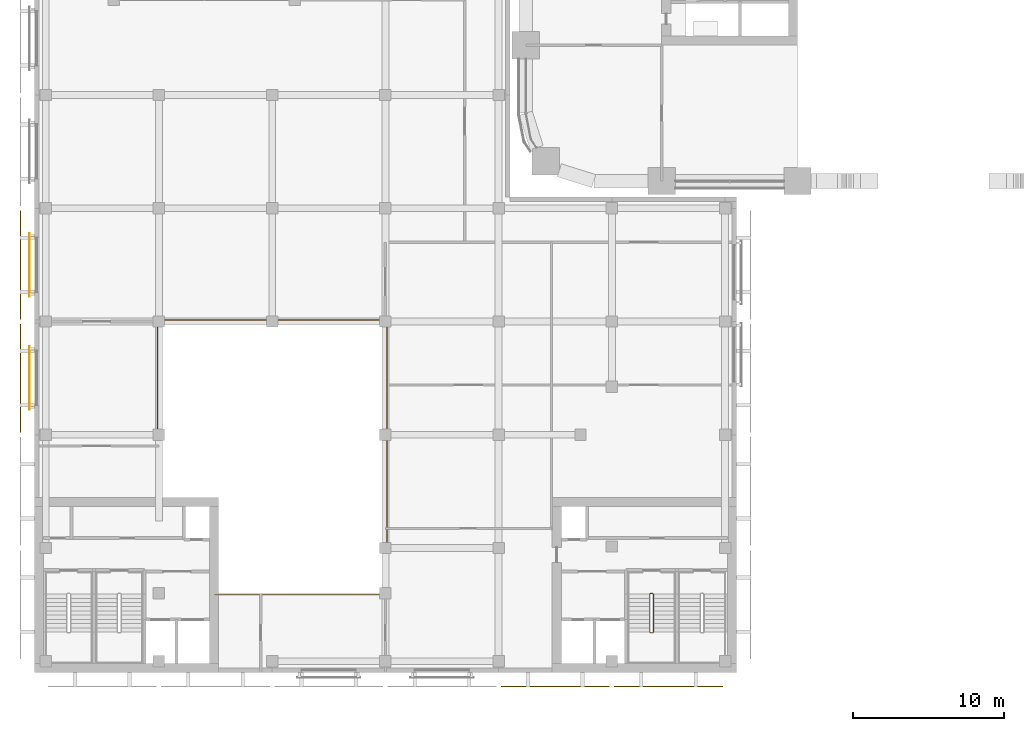
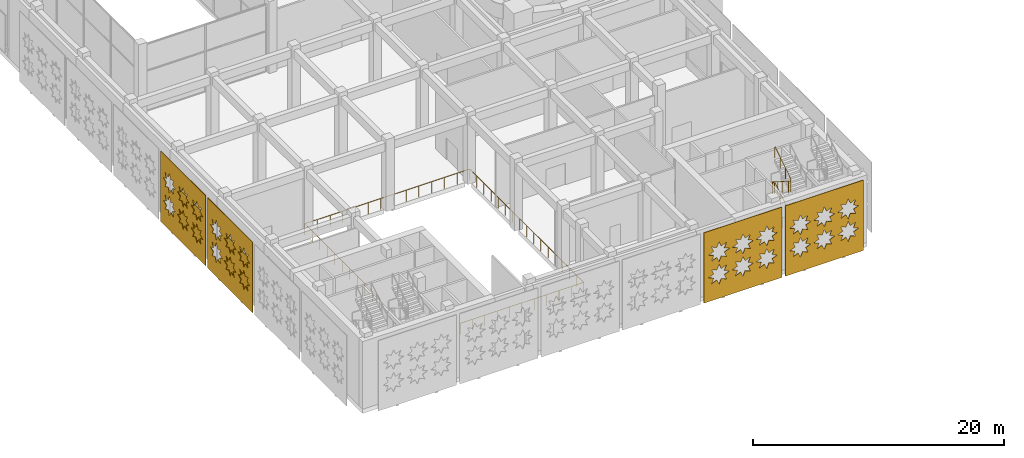
# One storey, part 31 of 42: 6 coverings, 2 railings.
"""IFC4 building model written with IfcOpenShell, lengths in metres."""

import ifcopenshell
import ifcopenshell.guid

model = None  # the IFC model being written
_history = None  # IfcOwnerHistory: only IFC2X3 demands one
_inside = {}  # id of a spatial element -> (the spatial element, [elements in it])
_under = {}  # id of a project, library or spatial element -> (it, [spatial elements below it])
_declared = {}  # id of a project -> (the project, [libraries it declares])
_typed = {}  # id of a type object -> (the type object, [elements of that type])
_made_of = {}  # id of a material, layer set ... -> (it, [elements and type objects made of it])


def new_model(schema):
    """Start an empty IFC model of exactly this schema.

    Asked for "IFC4X3", IfcOpenShell would pick the latest addendum, in which some entities
    have other attributes; the version numbers below select the first issue.
    IFC2X3 requires an IfcOwnerHistory on every rooted entity: one is made here for all.
    """
    global model, _history
    if schema == "IFC4X3":
        model = ifcopenshell.file(schema_version=(4, 3, 0, 0))
    else:
        model = ifcopenshell.file(schema=schema)
    _inside.clear()
    _under.clear()
    _declared.clear()
    _typed.clear()
    _made_of.clear()
    _history = None
    if model.schema == "IFC2X3":
        org = make("IfcOrganization", Name="unknown")
        user = make(
            "IfcPersonAndOrganization",
            ThePerson=make("IfcPerson", FamilyName="unknown"),
            TheOrganization=org,
        )
        app = make(
            "IfcApplication",
            ApplicationDeveloper=org,
            Version="unknown",
            ApplicationFullName="unknown",
            ApplicationIdentifier="unknown",
        )
        _history = make(
            "IfcOwnerHistory",
            OwningUser=user,
            OwningApplication=app,
            ChangeAction="ADDED",
            CreationDate=0,
        )
    return model


def make(cls, **values):
    """One entity of the class cls with the attributes given. An attribute that is None is left unset."""
    return model.create_entity(
        cls, **{name: value for name, value in values.items() if value is not None}
    )


def rooted(cls, **values):
    """An entity with a GlobalId (a new one), such as an element, a storey or a relation."""
    return make(cls, GlobalId=ifcopenshell.guid.new(), OwnerHistory=_history, **values)


def si_unit(unit_type, name, prefix=None):
    """IfcSIUnit, for example si_unit("LENGTHUNIT", "METRE", prefix="MILLI")."""
    return make("IfcSIUnit", UnitType=unit_type, Prefix=prefix, Name=name)


def assignment(units):
    """IfcUnitAssignment: the units of a project."""
    return None if units is None else make("IfcUnitAssignment", Units=units)


def point(xyz):
    """IfcCartesianPoint."""
    return None if xyz is None else make("IfcCartesianPoint", Coordinates=xyz)


def direction(xyz):
    """IfcDirection."""
    return None if xyz is None else make("IfcDirection", DirectionRatios=xyz)


def frame(location, z_axis=None, x_axis=None):
    """IfcAxis2Placement3D, a coordinate frame: its origin and axes. An axis left out is left unset."""
    return make(
        "IfcAxis2Placement3D",
        Location=point(location),
        Axis=direction(z_axis),
        RefDirection=direction(x_axis),
    )


def frame_2d(location, x_axis=None):
    """IfcAxis2Placement2D, a coordinate frame in the plane: its origin and x axis."""
    return make(
        "IfcAxis2Placement2D", Location=point(location), RefDirection=direction(x_axis)
    )


def origin():
    """The frame at (0, 0, 0) with its axes left unset."""
    return frame((0.0, 0.0, 0.0))


def origin_2d():
    """The frame at (0, 0) in the plane with its x axis left unset."""
    return frame_2d((0.0, 0.0))


def place(relative_to, where):
    """IfcLocalPlacement: puts the frame where relative to a parent placement (None: the world)."""
    return make(
        "IfcLocalPlacement", PlacementRelTo=relative_to, RelativePlacement=where
    )


def context(
    kind, dimensions, precision=None, world=None, true_north=None, identifier=None
):
    """IfcGeometricRepresentationContext, for example the 3D "Model" context."""
    return make(
        "IfcGeometricRepresentationContext",
        ContextIdentifier=identifier,
        ContextType=kind,
        CoordinateSpaceDimension=dimensions,
        Precision=precision,
        WorldCoordinateSystem=world,
        TrueNorth=true_north,
    )


def subcontext(parent, identifier, kind, view, scale=None):
    """IfcGeometricRepresentationSubContext, for example "Body" below "Model"."""
    return make(
        "IfcGeometricRepresentationSubContext",
        ContextIdentifier=identifier,
        ContextType=kind,
        ParentContext=parent,
        TargetScale=scale,
        TargetView=view,
    )


def project(units=None, contexts=None):
    """IfcProject with its units and contexts."""
    return rooted(
        "IfcProject",
        Name="project",
        RepresentationContexts=contexts,
        UnitsInContext=assignment(units),
    )


def spatial(cls, under=None, at=None, **own):
    """A site, building, storey or space (cls), placed at a placement, below another one or the project."""
    s = rooted(cls, ObjectPlacement=at, **own)
    if under is not None:
        _under.setdefault(under.id(), (under, []))[1].append(s)
    return s


def polyline(points):
    """IfcPolyline through the points."""
    return make("IfcPolyline", Points=[point(p) for p in points])


def profile(cls, at=None, kind="AREA", **sizes):
    """A parametric profile (cls). Its sizes go by their IFC names, for example OverallWidth=200.0."""
    return make(cls, ProfileType=kind, Position=at, **sizes)


def rectangle(**sizes):
    """IfcRectangleProfileDef."""
    return profile("IfcRectangleProfileDef", **sizes)


def circle(**sizes):
    """IfcCircleProfileDef."""
    return profile("IfcCircleProfileDef", **sizes)


def outline(outer, holes=None, kind="AREA"):
    """IfcArbitraryClosedProfileDef: a profile drawn as a closed curve; with holes, ...WithVoids."""
    if holes is None:
        return make("IfcArbitraryClosedProfileDef", ProfileType=kind, OuterCurve=outer)
    return make(
        "IfcArbitraryProfileDefWithVoids",
        ProfileType=kind,
        OuterCurve=outer,
        InnerCurves=holes,
    )


def extrude(swept, where, along, depth):
    """IfcExtrudedAreaSolid: the profile swept, set in the frame where, extruded along a direction by depth."""
    return make(
        "IfcExtrudedAreaSolid",
        SweptArea=swept,
        Position=where,
        ExtrudedDirection=direction(along),
        Depth=depth,
    )


def shape(context_of_items, identifier, shape_type, items):
    """IfcShapeRepresentation: the items that make up one representation, for example the "Body"."""
    return make(
        "IfcShapeRepresentation",
        ContextOfItems=context_of_items,
        RepresentationIdentifier=identifier,
        RepresentationType=shape_type,
        Items=items,
    )


def material(Name=None, Category=None):
    """IfcMaterial."""
    return make("IfcMaterial", Name=Name, Category=Category)


def layer(
    of_material, thickness, ventilated=None, Name=None, Category=None, Priority=None
):
    """IfcMaterialLayer: one layer of a wall or slab, of a material (None: an air gap)."""
    return make(
        "IfcMaterialLayer",
        Material=of_material,
        LayerThickness=thickness,
        IsVentilated=ventilated,
        Name=Name,
        Category=Category,
        Priority=Priority,
    )


def layer_set(layers, Name=None):
    """IfcMaterialLayerSet."""
    return make("IfcMaterialLayerSet", MaterialLayers=layers, LayerSetName=Name)


def made_of(thing, what):
    """Note that an element or type object is made of a material, layer set ...; save() writes the relation."""
    if what is not None:
        _made_of.setdefault(what.id(), (what, []))[1].append(thing)
    return thing


def type_object(cls, material=None, **own):
    """A type object (cls), such as IfcWallType, which elements share."""
    return made_of(rooted(cls, **own), material)


def element(
    cls,
    number,
    at=None,
    inside=None,
    cuts=None,
    type_object=None,
    material=None,
    context=None,
    identifier="Body",
    shape_type=None,
    held_by="IfcProductDefinitionShape",
    body=None,
    shapes=None,
    **own,
):
    """One element of the class cls, such as IfcWall. Its Tag is "e" and its number.

    at: its placement. inside: the storey or other place that contains it. cuts: it is an
    opening in that element (IfcRelVoidsElement). A single representation is given by context,
    identifier, shape_type and body (its items); several are given by shapes. held_by: the class
    of the entity that holds the representations. save() writes the other relations.
    """
    e = rooted(cls, Tag="e%d" % number, ObjectPlacement=at, **own)
    if body is not None:
        shapes = [shape(context, identifier, shape_type, body)]
    if shapes is not None:
        e.Representation = make(held_by, Representations=shapes)
    if inside is not None:
        _inside.setdefault(inside.id(), (inside, []))[1].append(e)
    if cuts is not None:
        rooted(
            "IfcRelVoidsElement", RelatingBuildingElement=cuts, RelatedOpeningElement=e
        )
    if type_object is not None:
        _typed.setdefault(type_object.id(), (type_object, []))[1].append(e)
    return made_of(e, material)


def aggregate(whole, parts):
    """IfcRelAggregates: a whole, such as a stair, and the parts it consists of."""
    return rooted("IfcRelAggregates", RelatingObject=whole, RelatedObjects=parts)


def save(model, path):
    """Write the relations noted so far, then the file.

    IfcRelAggregates (storeys below a building ...), IfcRelContainedInSpatialStructure (elements
    in a storey), IfcRelDefinesByType, IfcRelAssociatesMaterial and IfcRelDeclares: one each for
    every whole, place, type object, material and project.
    """
    for whole, parts in _under.values():
        aggregate(whole, parts)
    for where, things in _inside.values():
        rooted(
            "IfcRelContainedInSpatialStructure",
            RelatedElements=things,
            RelatingStructure=where,
        )
    for kind, things in _typed.values():
        rooted("IfcRelDefinesByType", RelatedObjects=things, RelatingType=kind)
    for what, things in _made_of.values():
        rooted("IfcRelAssociatesMaterial", RelatedObjects=things, RelatingMaterial=what)
    for by, libraries in _declared.values():
        rooted("IfcRelDeclares", RelatingContext=by, RelatedDefinitions=libraries)
    model.write(path)


model = new_model("IFC4")

# Units and contexts
model_context = context("Model", 3, precision=1e-05, world=origin(), true_north=direction((0.0, 1.0)))
body_context = subcontext(model_context, "Body", "Model", "MODEL_VIEW")
ifc_project = project(units=[si_unit("LENGTHUNIT", "METRE"), si_unit("AREAUNIT", "SQUARE_METRE"), si_unit("VOLUMEUNIT", "CUBIC_METRE"), si_unit("PLANEANGLEUNIT", "RADIAN"), si_unit("MASSUNIT", "GRAM", prefix="KILO")], contexts=[model_context])

# Site, building, storey
site_placement = place(None, origin())
site = spatial("IfcSite", under=ifc_project, at=site_placement, CompositionType="ELEMENT")
building_placement = place(site_placement, origin())
building = spatial("IfcBuilding", under=site, at=building_placement, Name="Tessera Arch", CompositionType="ELEMENT")
storey_placement = place(building_placement, frame((0.0, 0.0, 14.0)))
storey = spatial("IfcBuildingStorey", under=building, at=storey_placement, Name="L02", CompositionType="ELEMENT", Elevation=14.0)

# Coverings
ifc_material_1 = material(Name="Anodised aluminium pale metal", Category="aluminium")
ifc_layer_1 = layer(ifc_material_1, 0.050048828125)
ifc_layer_set_1 = layer_set([ifc_layer_1], Name="Museum lattice skin panel")
covering_type_1 = type_object("IfcCoveringType", Name="Museum lattice skin panel", PredefinedType="CLADDING", material=ifc_layer_set_1)
covering_1_placement = place(storey_placement, frame((-1.64990234375, -33.449951171875, 6.949951171875), z_axis=(0.0, 1.0, 0.0), x_axis=(1.0, 0.0, 0.0)))
element("IfcCovering", 1, at=covering_1_placement, inside=storey, type_object=covering_type_1, Name="Museum lattice skin L02 1-6", PredefinedType="CLADDING", context=body_context, shape_type="SweptSolid", body=[
    extrude(outline(polyline([(0.0, 0.0), (7.199951171875, 0.0), (7.199951171875, 6.849853515625), (0.0, 6.849853515625), (0.0, 0.0)]), holes=[polyline([(2.367919921875, 4.52490234375), (1.887939453125, 4.322998046875), (2.083984375, 3.841064453125), (1.601806640625, 4.036865234375), (1.39990234375, 3.556884765625), (1.197998046875, 4.036865234375), (0.7158203125, 3.841064453125), (0.911865234375, 4.322998046875), (0.431884765625, 4.52490234375), (0.911865234375, 4.72705078125), (0.7158203125, 5.208984375), (1.197998046875, 5.012939453125), (1.39990234375, 5.492919921875), (1.601806640625, 5.012939453125), (2.083984375, 5.208984375), (1.887939453125, 4.72705078125), (2.367919921875, 4.52490234375)]), polyline([(2.367919921875, 2.324951171875), (1.887939453125, 2.123046875), (2.083984375, 1.640869140625), (1.601806640625, 1.8369140625), (1.39990234375, 1.35693359375), (1.197998046875, 1.8369140625), (0.7158203125, 1.640869140625), (0.911865234375, 2.123046875), (0.431884765625, 2.324951171875), (0.911865234375, 2.52685546875), (0.7158203125, 3.009033203125), (1.197998046875, 2.81298828125), (1.39990234375, 3.29296875), (1.601806640625, 2.81298828125), (2.083984375, 3.009033203125), (1.887939453125, 2.52685546875), (2.367919921875, 2.324951171875)]), polyline([(4.56787109375, 4.52490234375), (4.087890625, 4.322998046875), (4.283935546875, 3.841064453125), (3.802001953125, 4.036865234375), (3.599853515625, 3.556884765625), (3.39794921875, 4.036865234375), (2.916015625, 3.841064453125), (3.11181640625, 4.322998046875), (2.6318359375, 4.52490234375), (3.11181640625, 4.72705078125), (2.916015625, 5.208984375), (3.39794921875, 5.012939453125), (3.599853515625, 5.492919921875), (3.802001953125, 5.012939453125), (4.283935546875, 5.208984375), (4.087890625, 4.72705078125), (4.56787109375, 4.52490234375)]), polyline([(4.56787109375, 2.324951171875), (4.087890625, 2.123046875), (4.283935546875, 1.640869140625), (3.802001953125, 1.8369140625), (3.599853515625, 1.35693359375), (3.39794921875, 1.8369140625), (2.916015625, 1.640869140625), (3.11181640625, 2.123046875), (2.6318359375, 2.324951171875), (3.11181640625, 2.52685546875), (2.916015625, 3.009033203125), (3.39794921875, 2.81298828125), (3.599853515625, 3.29296875), (3.802001953125, 2.81298828125), (4.283935546875, 3.009033203125), (4.087890625, 2.52685546875), (4.56787109375, 2.324951171875)]), polyline([(6.767822265625, 4.52490234375), (6.287841796875, 4.322998046875), (6.48388671875, 3.841064453125), (6.001953125, 4.036865234375), (5.7998046875, 3.556884765625), (5.597900390625, 4.036865234375), (5.115966796875, 3.841064453125), (5.31201171875, 4.322998046875), (4.831787109375, 4.52490234375), (5.31201171875, 4.72705078125), (5.115966796875, 5.208984375), (5.597900390625, 5.012939453125), (5.7998046875, 5.492919921875), (6.001953125, 5.012939453125), (6.48388671875, 5.208984375), (6.287841796875, 4.72705078125), (6.767822265625, 4.52490234375)]), polyline([(6.767822265625, 2.324951171875), (6.287841796875, 2.123046875), (6.48388671875, 1.640869140625), (6.001953125, 1.8369140625), (5.7998046875, 1.35693359375), (5.597900390625, 1.8369140625), (5.115966796875, 1.640869140625), (5.31201171875, 2.123046875), (4.831787109375, 2.324951171875), (5.31201171875, 2.52685546875), (5.115966796875, 3.009033203125), (5.597900390625, 2.81298828125), (5.7998046875, 3.29296875), (6.001953125, 2.81298828125), (6.48388671875, 3.009033203125), (6.287841796875, 2.52685546875), (6.767822265625, 2.324951171875)])]), origin(), (0.0, 0.0, -1.0), 0.050048828125),
])
covering_2_placement = place(storey_placement, frame((5.85009765625, -33.449951171875, 6.949951171875), z_axis=(0.0, 1.0, 0.0), x_axis=(1.0, 0.0, 0.0)))
element("IfcCovering", 2, at=covering_2_placement, inside=storey, type_object=covering_type_1, Name="Museum lattice skin L02 1-7", PredefinedType="CLADDING", context=body_context, shape_type="SweptSolid", body=[
    extrude(outline(polyline([(0.0, 0.0), (7.199951171875, 0.0), (7.199951171875, 6.849853515625), (0.0, 6.849853515625), (0.0, 0.0)]), holes=[polyline([(2.367919921875, 4.52490234375), (1.887939453125, 4.322998046875), (2.083984375, 3.841064453125), (1.601806640625, 4.036865234375), (1.39990234375, 3.556884765625), (1.197998046875, 4.036865234375), (0.7158203125, 3.841064453125), (0.911865234375, 4.322998046875), (0.431884765625, 4.52490234375), (0.911865234375, 4.72705078125), (0.7158203125, 5.208984375), (1.197998046875, 5.012939453125), (1.39990234375, 5.492919921875), (1.601806640625, 5.012939453125), (2.083984375, 5.208984375), (1.887939453125, 4.72705078125), (2.367919921875, 4.52490234375)]), polyline([(2.367919921875, 2.324951171875), (1.887939453125, 2.123046875), (2.083984375, 1.640869140625), (1.601806640625, 1.8369140625), (1.39990234375, 1.35693359375), (1.197998046875, 1.8369140625), (0.7158203125, 1.640869140625), (0.911865234375, 2.123046875), (0.431884765625, 2.324951171875), (0.911865234375, 2.52685546875), (0.7158203125, 3.009033203125), (1.197998046875, 2.81298828125), (1.39990234375, 3.29296875), (1.601806640625, 2.81298828125), (2.083984375, 3.009033203125), (1.887939453125, 2.52685546875), (2.367919921875, 2.324951171875)]), polyline([(4.56787109375, 4.52490234375), (4.087890625, 4.322998046875), (4.283935546875, 3.841064453125), (3.802001953125, 4.036865234375), (3.599853515625, 3.556884765625), (3.39794921875, 4.036865234375), (2.916015625, 3.841064453125), (3.11181640625, 4.322998046875), (2.6318359375, 4.52490234375), (3.11181640625, 4.72705078125), (2.916015625, 5.208984375), (3.39794921875, 5.012939453125), (3.599853515625, 5.492919921875), (3.802001953125, 5.012939453125), (4.283935546875, 5.208984375), (4.087890625, 4.72705078125), (4.56787109375, 4.52490234375)]), polyline([(4.56787109375, 2.324951171875), (4.087890625, 2.123046875), (4.283935546875, 1.640869140625), (3.802001953125, 1.8369140625), (3.599853515625, 1.35693359375), (3.39794921875, 1.8369140625), (2.916015625, 1.640869140625), (3.11181640625, 2.123046875), (2.6318359375, 2.324951171875), (3.11181640625, 2.52685546875), (2.916015625, 3.009033203125), (3.39794921875, 2.81298828125), (3.599853515625, 3.29296875), (3.802001953125, 2.81298828125), (4.283935546875, 3.009033203125), (4.087890625, 2.52685546875), (4.56787109375, 2.324951171875)]), polyline([(6.767822265625, 4.52490234375), (6.287841796875, 4.322998046875), (6.48388671875, 3.841064453125), (6.001953125, 4.036865234375), (5.7998046875, 3.556884765625), (5.597900390625, 4.036865234375), (5.115966796875, 3.841064453125), (5.31201171875, 4.322998046875), (4.831787109375, 4.52490234375), (5.31201171875, 4.72705078125), (5.115966796875, 5.208984375), (5.597900390625, 5.012939453125), (5.7998046875, 5.492919921875), (6.001953125, 5.012939453125), (6.48388671875, 5.208984375), (6.287841796875, 4.72705078125), (6.767822265625, 4.52490234375)]), polyline([(6.767822265625, 2.324951171875), (6.287841796875, 2.123046875), (6.48388671875, 1.640869140625), (6.001953125, 1.8369140625), (5.7998046875, 1.35693359375), (5.597900390625, 1.8369140625), (5.115966796875, 1.640869140625), (5.31201171875, 2.123046875), (4.831787109375, 2.324951171875), (5.31201171875, 2.52685546875), (5.115966796875, 3.009033203125), (5.597900390625, 2.81298828125), (5.7998046875, 3.29296875), (6.001953125, 2.81298828125), (6.48388671875, 3.009033203125), (6.287841796875, 2.52685546875), (6.767822265625, 2.324951171875)])]), origin(), (0.0, 0.0, -1.0), 0.050048828125),
])
covering_3_placement = place(storey_placement, frame((-33.449951171875, -1.949951171875, 6.949951171875), z_axis=(1.0, 0.0, 0.0), x_axis=(0.0, -1.0, 0.0)))
element("IfcCovering", 3, at=covering_3_placement, inside=storey, type_object=covering_type_1, Name="Museum lattice skin L02 6-10", PredefinedType="CLADDING", context=body_context, shape_type="SweptSolid", body=[
    extrude(outline(polyline([(0.0, 0.0), (7.199951171875, 0.0), (7.199951171875, 6.849853515625), (0.0, 6.849853515625), (0.0, 0.0)]), holes=[polyline([(2.3681640625, 4.52490234375), (1.887939453125, 4.322998046875), (2.083984375, 3.841064453125), (1.60205078125, 4.036865234375), (1.400146484375, 3.556884765625), (1.197998046875, 4.036865234375), (0.716064453125, 3.841064453125), (0.912109375, 4.322998046875), (0.43212890625, 4.52490234375), (0.912109375, 4.72705078125), (0.716064453125, 5.208984375), (1.197998046875, 5.012939453125), (1.400146484375, 5.492919921875), (1.60205078125, 5.012939453125), (2.083984375, 5.208984375), (1.887939453125, 4.72705078125), (2.3681640625, 4.52490234375)]), polyline([(2.3681640625, 2.324951171875), (1.887939453125, 2.123046875), (2.083984375, 1.640869140625), (1.60205078125, 1.8369140625), (1.400146484375, 1.35693359375), (1.197998046875, 1.8369140625), (0.716064453125, 1.640869140625), (0.912109375, 2.123046875), (0.43212890625, 2.324951171875), (0.912109375, 2.52685546875), (0.716064453125, 3.009033203125), (1.197998046875, 2.81298828125), (1.400146484375, 3.29296875), (1.60205078125, 2.81298828125), (2.083984375, 3.009033203125), (1.887939453125, 2.52685546875), (2.3681640625, 2.324951171875)]), polyline([(4.568115234375, 4.52490234375), (4.088134765625, 4.322998046875), (4.283935546875, 3.841064453125), (3.802001953125, 4.036865234375), (3.60009765625, 3.556884765625), (3.39794921875, 4.036865234375), (2.916015625, 3.841064453125), (3.112060546875, 4.322998046875), (2.632080078125, 4.52490234375), (3.112060546875, 4.72705078125), (2.916015625, 5.208984375), (3.39794921875, 5.012939453125), (3.60009765625, 5.492919921875), (3.802001953125, 5.012939453125), (4.283935546875, 5.208984375), (4.088134765625, 4.72705078125), (4.568115234375, 4.52490234375)]), polyline([(4.568115234375, 2.324951171875), (4.088134765625, 2.123046875), (4.283935546875, 1.640869140625), (3.802001953125, 1.8369140625), (3.60009765625, 1.35693359375), (3.39794921875, 1.8369140625), (2.916015625, 1.640869140625), (3.112060546875, 2.123046875), (2.632080078125, 2.324951171875), (3.112060546875, 2.52685546875), (2.916015625, 3.009033203125), (3.39794921875, 2.81298828125), (3.60009765625, 3.29296875), (3.802001953125, 2.81298828125), (4.283935546875, 3.009033203125), (4.088134765625, 2.52685546875), (4.568115234375, 2.324951171875)]), polyline([(6.76806640625, 4.52490234375), (6.2880859375, 4.322998046875), (6.484130859375, 3.841064453125), (6.001953125, 4.036865234375), (5.800048828125, 3.556884765625), (5.59814453125, 4.036865234375), (5.115966796875, 3.841064453125), (5.31201171875, 4.322998046875), (4.83203125, 4.52490234375), (5.31201171875, 4.72705078125), (5.115966796875, 5.208984375), (5.59814453125, 5.012939453125), (5.800048828125, 5.492919921875), (6.001953125, 5.012939453125), (6.484130859375, 5.208984375), (6.2880859375, 4.72705078125), (6.76806640625, 4.52490234375)]), polyline([(6.76806640625, 2.324951171875), (6.2880859375, 2.123046875), (6.484130859375, 1.640869140625), (6.001953125, 1.8369140625), (5.800048828125, 1.35693359375), (5.59814453125, 1.8369140625), (5.115966796875, 1.640869140625), (5.31201171875, 2.123046875), (4.83203125, 2.324951171875), (5.31201171875, 2.52685546875), (5.115966796875, 3.009033203125), (5.59814453125, 2.81298828125), (5.800048828125, 3.29296875), (6.001953125, 2.81298828125), (6.484130859375, 3.009033203125), (6.2880859375, 2.52685546875), (6.76806640625, 2.324951171875)])]), origin(), (0.0, 0.0, -1.0), 0.050048828125),
])
covering_4_placement = place(storey_placement, frame((-33.449951171875, -9.449951171875, 6.949951171875), z_axis=(1.0, 0.0, 0.0), x_axis=(0.0, -1.0, 0.0)))
element("IfcCovering", 4, at=covering_4_placement, inside=storey, type_object=covering_type_1, Name="Museum lattice skin L02 6-11", PredefinedType="CLADDING", context=body_context, shape_type="SweptSolid", body=[
    extrude(outline(polyline([(0.0, 0.0), (7.199951171875, 0.0), (7.199951171875, 6.849853515625), (0.0, 6.849853515625), (0.0, 0.0)]), holes=[polyline([(2.3681640625, 4.52490234375), (1.887939453125, 4.322998046875), (2.083984375, 3.841064453125), (1.60205078125, 4.036865234375), (1.400146484375, 3.556884765625), (1.197998046875, 4.036865234375), (0.716064453125, 3.841064453125), (0.912109375, 4.322998046875), (0.43212890625, 4.52490234375), (0.912109375, 4.72705078125), (0.716064453125, 5.208984375), (1.197998046875, 5.012939453125), (1.400146484375, 5.492919921875), (1.60205078125, 5.012939453125), (2.083984375, 5.208984375), (1.887939453125, 4.72705078125), (2.3681640625, 4.52490234375)]), polyline([(2.3681640625, 2.324951171875), (1.887939453125, 2.123046875), (2.083984375, 1.640869140625), (1.60205078125, 1.8369140625), (1.400146484375, 1.35693359375), (1.197998046875, 1.8369140625), (0.716064453125, 1.640869140625), (0.912109375, 2.123046875), (0.43212890625, 2.324951171875), (0.912109375, 2.52685546875), (0.716064453125, 3.009033203125), (1.197998046875, 2.81298828125), (1.400146484375, 3.29296875), (1.60205078125, 2.81298828125), (2.083984375, 3.009033203125), (1.887939453125, 2.52685546875), (2.3681640625, 2.324951171875)]), polyline([(4.568115234375, 4.52490234375), (4.088134765625, 4.322998046875), (4.283935546875, 3.841064453125), (3.802001953125, 4.036865234375), (3.60009765625, 3.556884765625), (3.39794921875, 4.036865234375), (2.916015625, 3.841064453125), (3.112060546875, 4.322998046875), (2.632080078125, 4.52490234375), (3.112060546875, 4.72705078125), (2.916015625, 5.208984375), (3.39794921875, 5.012939453125), (3.60009765625, 5.492919921875), (3.802001953125, 5.012939453125), (4.283935546875, 5.208984375), (4.088134765625, 4.72705078125), (4.568115234375, 4.52490234375)]), polyline([(4.568115234375, 2.324951171875), (4.088134765625, 2.123046875), (4.283935546875, 1.640869140625), (3.802001953125, 1.8369140625), (3.60009765625, 1.35693359375), (3.39794921875, 1.8369140625), (2.916015625, 1.640869140625), (3.112060546875, 2.123046875), (2.632080078125, 2.324951171875), (3.112060546875, 2.52685546875), (2.916015625, 3.009033203125), (3.39794921875, 2.81298828125), (3.60009765625, 3.29296875), (3.802001953125, 2.81298828125), (4.283935546875, 3.009033203125), (4.088134765625, 2.52685546875), (4.568115234375, 2.324951171875)]), polyline([(6.76806640625, 4.52490234375), (6.2880859375, 4.322998046875), (6.484130859375, 3.841064453125), (6.001953125, 4.036865234375), (5.800048828125, 3.556884765625), (5.59814453125, 4.036865234375), (5.115966796875, 3.841064453125), (5.31201171875, 4.322998046875), (4.83203125, 4.52490234375), (5.31201171875, 4.72705078125), (5.115966796875, 5.208984375), (5.59814453125, 5.012939453125), (5.800048828125, 5.492919921875), (6.001953125, 5.012939453125), (6.484130859375, 5.208984375), (6.2880859375, 4.72705078125), (6.76806640625, 4.52490234375)]), polyline([(6.76806640625, 2.324951171875), (6.2880859375, 2.123046875), (6.484130859375, 1.640869140625), (6.001953125, 1.8369140625), (5.800048828125, 1.35693359375), (5.59814453125, 1.8369140625), (5.115966796875, 1.640869140625), (5.31201171875, 2.123046875), (4.83203125, 2.324951171875), (5.31201171875, 2.52685546875), (5.115966796875, 3.009033203125), (5.59814453125, 2.81298828125), (5.800048828125, 3.29296875), (6.001953125, 2.81298828125), (6.484130859375, 3.009033203125), (6.2880859375, 2.52685546875), (6.76806640625, 2.324951171875)])]), origin(), (0.0, 0.0, -1.0), 0.050048828125),
])

# Railing
ifc_material_2 = material(Name="Stainless steel and clear glass", Category="steel")
railing_type_1 = type_object("IfcRailingType", Name="Museum roof guard 1100", PredefinedType="GUARDRAIL", material=ifc_material_2)
railing_1_placement = place(storey_placement, frame((-24.39990234375, -21.199951171875, 0.0)))
element("IfcRailing", 5, at=railing_1_placement, inside=storey, type_object=railing_type_1, Name="Atrium guard L02", PredefinedType="GUARDRAIL", context=body_context, shape_type="SweptSolid", body=[
    extrude(circle(Radius=0.02490234375, at=origin_2d()), frame((0.0, -0.00390625, 1.0751953125), z_axis=(0.0, 1.0, 0.0), x_axis=(-1.0, 0.0, 0.0)), (0.0, 0.0, 1.0), 12.008056640625),
    extrude(circle(Radius=0.02490234375, at=origin_2d()), frame((-0.00390625, 12.0, 1.0751953125), z_axis=(1.0, 0.0, 0.0), x_axis=(0.0, 1.0, 0.0)), (0.0, 0.0, 1.0), 15.2080078125),
    extrude(circle(Radius=0.02490234375, at=origin_2d()), frame((15.199951171875, 12.00390625, 1.0751953125), z_axis=(0.0, -1.0, 0.0), x_axis=(1.0, 0.0, 0.0)), (0.0, 0.0, 1.0), 18.2080078125),
    extrude(circle(Radius=0.02490234375, at=origin_2d()), frame((15.203857421875, -6.199951171875, 1.0751953125), z_axis=(-1.0, 0.0, 0.0), x_axis=(0.0, -1.0, 0.0)), (0.0, 0.0, 1.0), 11.408203125),
    extrude(circle(Radius=0.02001953125, at=origin_2d()), origin(), (0.0, 0.0, 1.0), 1.06201171875),
    extrude(circle(Radius=0.02001953125, at=origin_2d()), frame((0.0, 1.199951171875, 0.0)), (0.0, 0.0, 1.0), 1.06201171875),
    extrude(circle(Radius=0.02001953125, at=origin_2d()), frame((0.0, 2.39990234375, 0.0)), (0.0, 0.0, 1.0), 1.06201171875),
    extrude(circle(Radius=0.02001953125, at=origin_2d()), frame((0.0, 3.60009765625, 0.0)), (0.0, 0.0, 1.0), 1.06201171875),
    extrude(circle(Radius=0.02001953125, at=origin_2d()), frame((0.0, 4.800048828125, 0.0)), (0.0, 0.0, 1.0), 1.06201171875),
    extrude(circle(Radius=0.02001953125, at=origin_2d()), frame((0.0, 6.0, 0.0)), (0.0, 0.0, 1.0), 1.06201171875),
    extrude(circle(Radius=0.02001953125, at=origin_2d()), frame((0.0, 7.199951171875, 0.0)), (0.0, 0.0, 1.0), 1.06201171875),
    extrude(circle(Radius=0.02001953125, at=origin_2d()), frame((0.0, 8.39990234375, 0.0)), (0.0, 0.0, 1.0), 1.06201171875),
    extrude(circle(Radius=0.02001953125, at=origin_2d()), frame((0.0, 9.60009765625, 0.0)), (0.0, 0.0, 1.0), 1.06201171875),
    extrude(circle(Radius=0.02001953125, at=origin_2d()), frame((0.0, 10.800048828125, 0.0)), (0.0, 0.0, 1.0), 1.06201171875),
    extrude(circle(Radius=0.02001953125, at=origin_2d()), frame((0.0, 12.0, 0.0)), (0.0, 0.0, 1.0), 1.06201171875),
    extrude(circle(Radius=0.02001953125, at=origin_2d()), frame((1.169189453125, 12.0, 0.0)), (0.0, 0.0, 1.0), 1.06201171875),
    extrude(circle(Radius=0.02001953125, at=origin_2d()), frame((2.33837890625, 12.0, 0.0)), (0.0, 0.0, 1.0), 1.06201171875),
    extrude(circle(Radius=0.02001953125, at=origin_2d()), frame((3.507568359375, 12.0, 0.0)), (0.0, 0.0, 1.0), 1.06201171875),
    extrude(circle(Radius=0.02001953125, at=origin_2d()), frame((4.677001953125, 12.0, 0.0)), (0.0, 0.0, 1.0), 1.06201171875),
    extrude(circle(Radius=0.02001953125, at=origin_2d()), frame((5.84619140625, 12.0, 0.0)), (0.0, 0.0, 1.0), 1.06201171875),
    extrude(circle(Radius=0.02001953125, at=origin_2d()), frame((7.015380859375, 12.0, 0.0)), (0.0, 0.0, 1.0), 1.06201171875),
    extrude(circle(Radius=0.02001953125, at=origin_2d()), frame((8.1845703125, 12.0, 0.0)), (0.0, 0.0, 1.0), 1.06201171875),
    extrude(circle(Radius=0.02001953125, at=origin_2d()), frame((9.353759765625, 12.0, 0.0)), (0.0, 0.0, 1.0), 1.06201171875),
    extrude(circle(Radius=0.02001953125, at=origin_2d()), frame((10.52294921875, 12.0, 0.0)), (0.0, 0.0, 1.0), 1.06201171875),
    extrude(circle(Radius=0.02001953125, at=origin_2d()), frame((11.6923828125, 12.0, 0.0)), (0.0, 0.0, 1.0), 1.06201171875),
    extrude(circle(Radius=0.02001953125, at=origin_2d()), frame((12.861572265625, 12.0, 0.0)), (0.0, 0.0, 1.0), 1.06201171875),
    extrude(circle(Radius=0.02001953125, at=origin_2d()), frame((14.03076171875, 12.0, 0.0)), (0.0, 0.0, 1.0), 1.06201171875),
    extrude(circle(Radius=0.02001953125, at=origin_2d()), frame((15.199951171875, 12.0, 0.0)), (0.0, 0.0, 1.0), 1.06201171875),
    extrude(circle(Radius=0.02001953125, at=origin_2d()), frame((15.199951171875, 10.862548828125, 0.0)), (0.0, 0.0, 1.0), 1.06201171875),
    extrude(circle(Radius=0.02001953125, at=origin_2d()), frame((15.199951171875, 9.72509765625, 0.0)), (0.0, 0.0, 1.0), 1.06201171875),
    extrude(circle(Radius=0.02001953125, at=origin_2d()), frame((15.199951171875, 8.58740234375, 0.0)), (0.0, 0.0, 1.0), 1.06201171875),
    extrude(circle(Radius=0.02001953125, at=origin_2d()), frame((15.199951171875, 7.449951171875, 0.0)), (0.0, 0.0, 1.0), 1.06201171875),
    extrude(circle(Radius=0.02001953125, at=origin_2d()), frame((15.199951171875, 6.3125, 0.0)), (0.0, 0.0, 1.0), 1.06201171875),
    extrude(circle(Radius=0.02001953125, at=origin_2d()), frame((15.199951171875, 5.175048828125, 0.0)), (0.0, 0.0, 1.0), 1.06201171875),
    extrude(circle(Radius=0.02001953125, at=origin_2d()), frame((15.199951171875, 4.03759765625, 0.0)), (0.0, 0.0, 1.0), 1.06201171875),
    extrude(circle(Radius=0.02001953125, at=origin_2d()), frame((15.199951171875, 2.89990234375, 0.0)), (0.0, 0.0, 1.0), 1.06201171875),
    extrude(circle(Radius=0.02001953125, at=origin_2d()), frame((15.199951171875, 1.762451171875, 0.0)), (0.0, 0.0, 1.0), 1.06201171875),
    extrude(circle(Radius=0.02001953125, at=origin_2d()), frame((15.199951171875, 0.625, 0.0)), (0.0, 0.0, 1.0), 1.06201171875),
    extrude(circle(Radius=0.02001953125, at=origin_2d()), frame((15.199951171875, -0.512451171875, 0.0)), (0.0, 0.0, 1.0), 1.06201171875),
    extrude(circle(Radius=0.02001953125, at=origin_2d()), frame((15.199951171875, -1.64990234375, 0.0)), (0.0, 0.0, 1.0), 1.06201171875),
    extrude(circle(Radius=0.02001953125, at=origin_2d()), frame((15.199951171875, -2.787353515625, 0.0)), (0.0, 0.0, 1.0), 1.06201171875),
    extrude(circle(Radius=0.02001953125, at=origin_2d()), frame((15.199951171875, -3.925048828125, 0.0)), (0.0, 0.0, 1.0), 1.06201171875),
    extrude(circle(Radius=0.02001953125, at=origin_2d()), frame((15.199951171875, -5.0625, 0.0)), (0.0, 0.0, 1.0), 1.06201171875),
    extrude(circle(Radius=0.02001953125, at=origin_2d()), frame((15.199951171875, -6.199951171875, 0.0)), (0.0, 0.0, 1.0), 1.06201171875),
    extrude(circle(Radius=0.02001953125, at=origin_2d()), frame((14.06005859375, -6.199951171875, 0.0)), (0.0, 0.0, 1.0), 1.06201171875),
    extrude(circle(Radius=0.02001953125, at=origin_2d()), frame((12.919921875, -6.199951171875, 0.0)), (0.0, 0.0, 1.0), 1.06201171875),
    extrude(circle(Radius=0.02001953125, at=origin_2d()), frame((11.77978515625, -6.199951171875, 0.0)), (0.0, 0.0, 1.0), 1.06201171875),
    extrude(circle(Radius=0.02001953125, at=origin_2d()), frame((10.639892578125, -6.199951171875, 0.0)), (0.0, 0.0, 1.0), 1.06201171875),
    extrude(circle(Radius=0.02001953125, at=origin_2d()), frame((9.5, -6.199951171875, 0.0)), (0.0, 0.0, 1.0), 1.06201171875),
    extrude(circle(Radius=0.02001953125, at=origin_2d()), frame((8.35986328125, -6.199951171875, 0.0)), (0.0, 0.0, 1.0), 1.06201171875),
    extrude(circle(Radius=0.02001953125, at=origin_2d()), frame((7.219970703125, -6.199951171875, 0.0)), (0.0, 0.0, 1.0), 1.06201171875),
    extrude(circle(Radius=0.02001953125, at=origin_2d()), frame((6.079833984375, -6.199951171875, 0.0)), (0.0, 0.0, 1.0), 1.06201171875),
    extrude(circle(Radius=0.02001953125, at=origin_2d()), frame((4.93994140625, -6.199951171875, 0.0)), (0.0, 0.0, 1.0), 1.06201171875),
    extrude(circle(Radius=0.02001953125, at=origin_2d()), frame((3.7998046875, -6.199951171875, 0.0)), (0.0, 0.0, 1.0), 1.06201171875),
])

# Coverings
ifc_material_3 = material(Name="Anodised aluminium pale metal", Category="aluminium")
ifc_layer_2 = layer(ifc_material_3, 0.0400390625)
ifc_layer_set_2 = layer_set([ifc_layer_2], Name="Museum screen panel")
covering_type_2 = type_object("IfcCoveringType", Name="Museum screen panel", PredefinedType="CLADDING", material=ifc_layer_set_2)
for number, where, z_axis, x_axis, name in (
    (6, (-32.8701171875, -5.550048828125, 0.599853515625), (0.0, 0.0, 1.0), (0.0, -1.0, 0.0), "Screen panel museum L02 6-10"),
    (7, (-32.8701171875, -13.050048828125, 0.599853515625), (0.0, 0.0, 1.0), (0.0, -1.0, 0.0), "Screen panel museum L02 6-11"),
):
    element("IfcCovering", number, at=place(storey_placement, frame(where, z_axis=z_axis, x_axis=x_axis)), inside=storey, type_object=covering_type_2, Name=name, PredefinedType="CLADDING", context=body_context, shape_type="SweptSolid", body=[
        extrude(rectangle(XDim=4.199951171875, YDim=0.0400390625, at=origin_2d()), origin(), (0.0, 0.0, 1.0), 3.60009765625),
    ])

# Railing
ifc_material_4 = material(Name="Painted steel balustrade", Category="steel")
railing_type_2 = type_object("IfcRailingType", Name="Stair guard 1100", PredefinedType="GUARDRAIL", material=ifc_material_4)
railing_2_placement = place(storey_placement, frame((8.25, -27.300048828125, 0.0)))
element("IfcRailing", 8, at=railing_2_placement, inside=storey, type_object=railing_type_2, Name="L02 M3b stair guard 1", PredefinedType="GUARDRAIL", context=body_context, shape_type="SweptSolid", body=[
    extrude(circle(Radius=0.02392578125, at=origin_2d()), frame((-0.00390625, 0.0, 1.076171875), z_axis=(1.0, 0.0, 0.0), x_axis=(0.0, 1.0, 0.0)), (0.0, 0.0, 1.0), 0.157958984375),
    extrude(circle(Radius=0.02392578125, at=origin_2d()), frame((0.15283203125, 0.000732421875, 1.073486328125), z_axis=(-0.739407315901, -0.185077533284, 0.647319957877), x_axis=(0.242814311512, -0.970072785993, 0.0)), (0.0, 0.0, 1.0), 0.2783203125),
    extrude(circle(Radius=0.02392578125, at=origin_2d()), frame((-0.050048828125, -0.046630859375, 1.2490234375), z_axis=(0.0, -0.848007534815, 0.529984170421), x_axis=(1.0, 0.0, 0.0)), (0.0, 0.0, 1.0), 2.979736328125),
    extrude(circle(Radius=0.02392578125, at=origin_2d()), frame((-0.052978515625, -2.567138671875, 2.826171875), z_axis=(0.708833529934, -0.705375805398, 0.0), x_axis=(0.705375805398, 0.708833529934, 0.0)), (0.0, 0.0, 1.0), 0.07861328125),
    extrude(circle(Radius=0.02392578125, at=origin_2d()), frame((-0.00390625, -2.619873046875, 2.826171875), z_axis=(1.0, 0.0, 0.0), x_axis=(0.0, 1.0, 0.0)), (0.0, 0.0, 1.0), 0.157958984375),
    extrude(circle(Radius=0.02392578125, at=origin_2d()), frame((0.14892578125, -2.620849609375, 2.822265625), z_axis=(0.265155923931, 0.263862480399, 0.927399011991), x_axis=(-0.705375805398, 0.708833529934, 0.0)), (0.0, 0.0, 1.0), 0.19677734375),
    extrude(circle(Radius=0.02392578125, at=origin_2d()), frame((0.199951171875, -2.573486328125, 2.9990234375), z_axis=(0.0, 0.848007534815, 0.529984170421), x_axis=(-1.0, 0.0, 0.0)), (0.0, 0.0, 1.0), 2.979736328125),
    extrude(circle(Radius=0.02392578125, at=origin_2d()), frame((0.203857421875, -0.051025390625, 4.576171875), z_axis=(-0.970072785993, 0.242814311512, 0.0), x_axis=(-0.242814311512, -0.970072785993, 0.0)), (0.0, 0.0, 1.0), 0.214111328125),
    extrude(circle(Radius=0.02392578125, at=origin_2d()), frame((-0.00390625, 0.0, 4.576171875), z_axis=(1.0, 0.0, 0.0), x_axis=(0.0, 1.0, 0.0)), (0.0, 0.0, 1.0), 0.157958984375),
    extrude(circle(Radius=0.02392578125, at=origin_2d()), frame((0.15283203125, 0.000732421875, 4.573486328125), z_axis=(-0.739407315901, -0.185077533284, 0.647319957877), x_axis=(0.242814311512, -0.970072785993, 0.0)), (0.0, 0.0, 1.0), 0.2783203125),
    extrude(circle(Radius=0.02392578125, at=origin_2d()), frame((-0.050048828125, -0.046630859375, 4.7490234375), z_axis=(0.0, -0.848007534815, 0.529984170421), x_axis=(1.0, 0.0, 0.0)), (0.0, 0.0, 1.0), 2.979736328125),
    extrude(circle(Radius=0.02392578125, at=origin_2d()), frame((-0.052978515625, -2.567138671875, 6.326171875), z_axis=(0.708833529934, -0.705375805398, 0.0), x_axis=(0.705375805398, 0.708833529934, 0.0)), (0.0, 0.0, 1.0), 0.07861328125),
    extrude(circle(Radius=0.02392578125, at=origin_2d()), frame((-0.00390625, -2.619873046875, 6.326171875), z_axis=(1.0, 0.0, 0.0), x_axis=(0.0, 1.0, 0.0)), (0.0, 0.0, 1.0), 0.157958984375),
    extrude(circle(Radius=0.02392578125, at=origin_2d()), frame((0.14892578125, -2.620849609375, 6.322265625), z_axis=(0.265155923931, 0.263862480399, 0.927399011991), x_axis=(-0.705375805398, 0.708833529934, 0.0)), (0.0, 0.0, 1.0), 0.19677734375),
    extrude(circle(Radius=0.02392578125, at=origin_2d()), frame((0.199951171875, -2.573486328125, 6.4990234375), z_axis=(0.0, 0.848007534815, 0.529984170421), x_axis=(-1.0, 0.0, 0.0)), (0.0, 0.0, 1.0), 2.979736328125),
    extrude(circle(Radius=0.02099609375, at=origin_2d()), origin(), (0.0, 0.0, 1.0), 1.06396484375),
    extrude(circle(Radius=0.02099609375, at=origin_2d()), frame((0.14990234375, 0.0, 0.0)), (0.0, 0.0, 1.0), 1.06396484375),
    extrude(circle(Radius=0.02099609375, at=origin_2d()), frame((-0.050048828125, -0.050048828125, 0.175048828125)), (0.0, 0.0, 1.0), 1.06396484375),
    extrude(circle(Radius=0.02099609375, at=origin_2d()), frame((-0.050048828125, -0.89013671875, 0.699951171875)), (0.0, 0.0, 1.0), 1.06396484375),
    extrude(circle(Radius=0.02099609375, at=origin_2d()), frame((-0.050048828125, -1.72998046875, 1.22509765625)), (0.0, 0.0, 1.0), 1.06396484375),
    extrude(circle(Radius=0.02099609375, at=origin_2d()), frame((-0.050048828125, -2.570068359375, 1.75)), (0.0, 0.0, 1.0), 1.06396484375),
    extrude(circle(Radius=0.02099609375, at=origin_2d()), frame((0.0, -2.619873046875, 1.75)), (0.0, 0.0, 1.0), 1.06396484375),
    extrude(circle(Radius=0.02099609375, at=origin_2d()), frame((0.14990234375, -2.619873046875, 1.75)), (0.0, 0.0, 1.0), 1.06396484375),
    extrude(circle(Radius=0.02099609375, at=origin_2d()), frame((0.199951171875, -2.570068359375, 1.925048828125)), (0.0, 0.0, 1.0), 1.06396484375),
    extrude(circle(Radius=0.02099609375, at=origin_2d()), frame((0.199951171875, -1.72998046875, 2.449951171875)), (0.0, 0.0, 1.0), 1.06396484375),
    extrude(circle(Radius=0.02099609375, at=origin_2d()), frame((0.199951171875, -0.89013671875, 2.97509765625)), (0.0, 0.0, 1.0), 1.06396484375),
    extrude(circle(Radius=0.02099609375, at=origin_2d()), frame((0.199951171875, -0.050048828125, 3.5)), (0.0, 0.0, 1.0), 1.06396484375),
    extrude(circle(Radius=0.02099609375, at=origin_2d()), frame((0.0, 0.0, 3.5)), (0.0, 0.0, 1.0), 1.06396484375),
    extrude(circle(Radius=0.02099609375, at=origin_2d()), frame((0.14990234375, 0.0, 3.5)), (0.0, 0.0, 1.0), 1.06396484375),
    extrude(circle(Radius=0.02099609375, at=origin_2d()), frame((-0.050048828125, -0.050048828125, 3.675048828125)), (0.0, 0.0, 1.0), 1.06396484375),
    extrude(circle(Radius=0.02099609375, at=origin_2d()), frame((-0.050048828125, -0.89013671875, 4.199951171875)), (0.0, 0.0, 1.0), 1.06396484375),
    extrude(circle(Radius=0.02099609375, at=origin_2d()), frame((-0.050048828125, -1.72998046875, 4.72509765625)), (0.0, 0.0, 1.0), 1.06396484375),
    extrude(circle(Radius=0.02099609375, at=origin_2d()), frame((-0.050048828125, -2.570068359375, 5.25)), (0.0, 0.0, 1.0), 1.06396484375),
    extrude(circle(Radius=0.02099609375, at=origin_2d()), frame((0.0, -2.619873046875, 5.25)), (0.0, 0.0, 1.0), 1.06396484375),
    extrude(circle(Radius=0.02099609375, at=origin_2d()), frame((0.14990234375, -2.619873046875, 5.25)), (0.0, 0.0, 1.0), 1.06396484375),
    extrude(circle(Radius=0.02099609375, at=origin_2d()), frame((0.199951171875, -2.570068359375, 5.425048828125)), (0.0, 0.0, 1.0), 1.06396484375),
    extrude(circle(Radius=0.02099609375, at=origin_2d()), frame((0.199951171875, -1.72998046875, 5.949951171875)), (0.0, 0.0, 1.0), 1.06396484375),
    extrude(circle(Radius=0.02099609375, at=origin_2d()), frame((0.199951171875, -0.89013671875, 6.47509765625)), (0.0, 0.0, 1.0), 1.06396484375),
    extrude(circle(Radius=0.02099609375, at=origin_2d()), frame((0.199951171875, -0.050048828125, 7.0)), (0.0, 0.0, 1.0), 1.06396484375),
])

save(model, "model.ifc")
